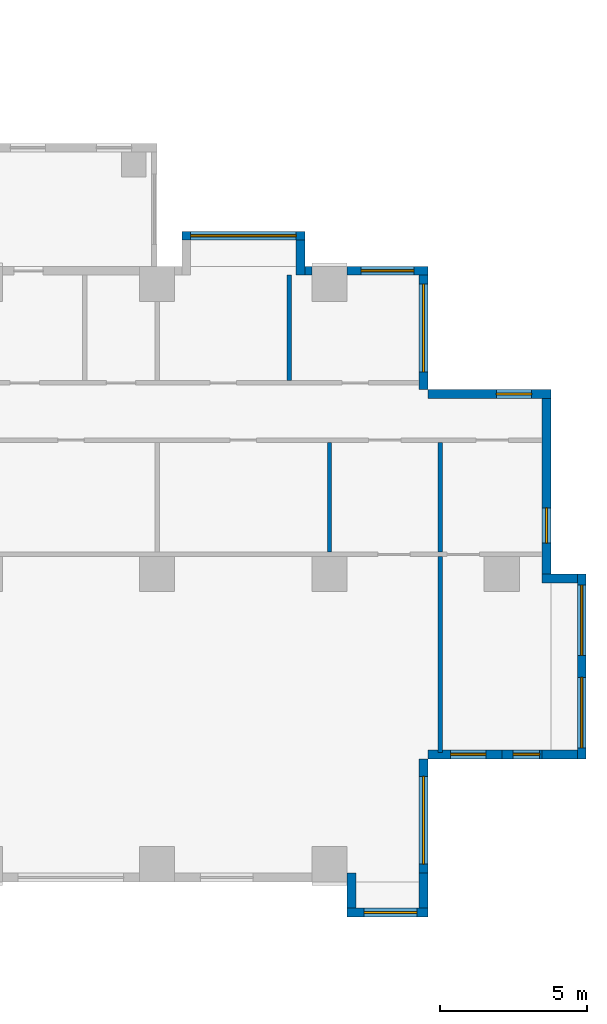
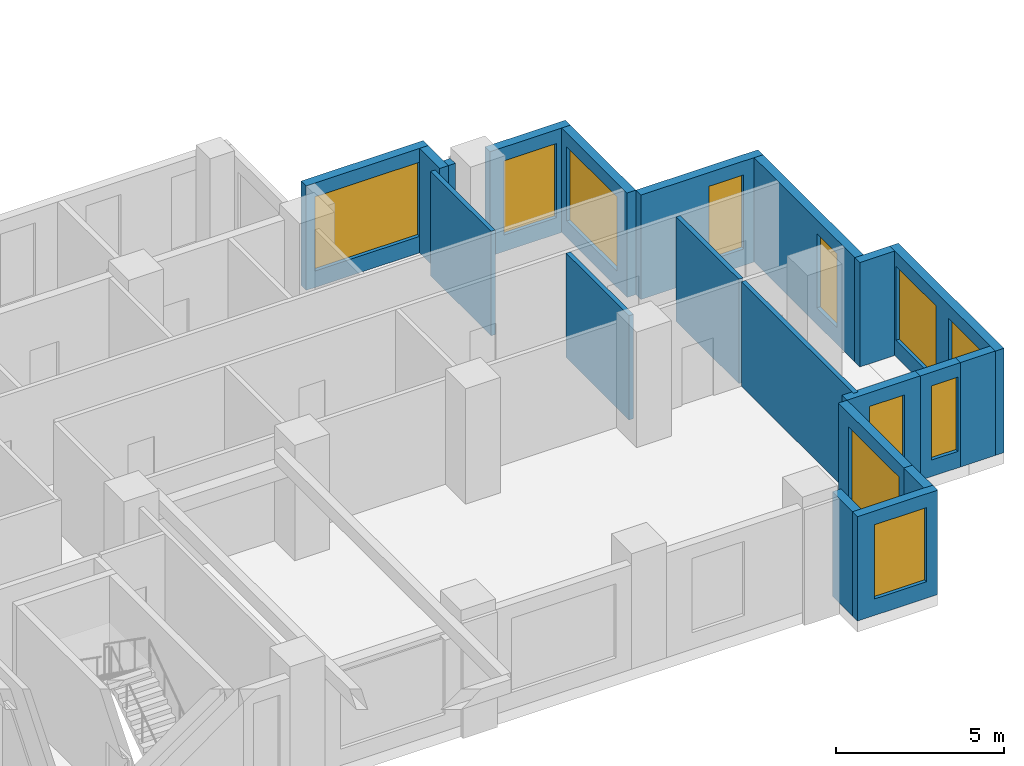
# One storey, part 9 of 14: 20 walls, 11 windows, 11 openings.
"""IFC4 building model written with IfcOpenShell, lengths in metres."""

from ifc_helpers import new_model, si_unit, direction, frame, frame_2d, origin, place, context, subcontext, project, spatial, rectangle, extrude, source, transform, mapped, material, layer, layer_set, type_object, element, fill, save


model = new_model("IFC4")

# Units and contexts
model_context = context("Model", 3, precision=1e-05, world=origin(), true_north=direction((0.0, 1.0)))
body_context = subcontext(model_context, "Body", "Model", "MODEL_VIEW")
ifc_project = project(units=[si_unit("LENGTHUNIT", "METRE"), si_unit("AREAUNIT", "SQUARE_METRE"), si_unit("VOLUMEUNIT", "CUBIC_METRE"), si_unit("PLANEANGLEUNIT", "RADIAN"), si_unit("MASSUNIT", "GRAM", prefix="KILO")], contexts=[model_context])

# Site, building, storey
site_placement = place(None, origin())
site = spatial("IfcSite", under=ifc_project, at=site_placement, CompositionType="ELEMENT")
building_placement = place(site_placement, origin())
building = spatial("IfcBuilding", under=site, at=building_placement, Name="Aurelian Terraces", CompositionType="ELEMENT")
storey_placement = place(building_placement, frame((0.0, 0.0, 53.1)))
storey = spatial("IfcBuildingStorey", under=building, at=storey_placement, Name="L10", CompositionType="ELEMENT", Elevation=53.1)

# Wall, opening, window
ifc_material_1 = material(Name="Terracotta rainscreen cladding", Category="masonry")
ifc_layer_1 = layer(ifc_material_1, 0.3)
ifc_layer_set_1 = layer_set([ifc_layer_1], Name="EW-300")
wall_type_1 = type_object("IfcWallType", Name="EW-300", PredefinedType="STANDARD", material=ifc_layer_set_1)
shared_shape_1 = source(origin(), body_context, "Body", "SweptSolid", [
    extrude(rectangle(XDim=4.2, YDim=0.3, at=frame_2d((2.1, 0.0))), origin(), (0.0, 0.0, 1.0), 3.8),
])
wall_1_placement = place(storey_placement, frame((67.05, 0.0, 0.0), z_axis=(0.0, 0.0, 1.0), x_axis=(0.0, 1.0, 0.0)))
wall_1 = element("IfcWall", 1, at=wall_1_placement, inside=storey, type_object=wall_type_1, Name="External wall L10 F06.14", PredefinedType="STANDARD", context=body_context, shape_type="MappedRepresentation", body=[
    mapped(shared_shape_1, transform((0.0, 0.0, 0.0), scale=1.0)),
])
shared_shape_2 = source(origin(), body_context, "Body", "SweptSolid", [
    extrude(rectangle(XDim=3.0, YDim=2.7, at=frame_2d((1.5, 1.35))), frame((0.0, 0.16, 0.0), z_axis=(0.0, -1.0, 0.0), x_axis=(1.0, 0.0, 0.0)), (0.0, 0.0, 1.0), 0.32),
])
opening_1_placement = place(wall_1_placement, frame((0.6, 0.0, 0.6)))
opening_1 = element("IfcOpeningElement", 2, at=opening_1_placement, cuts=wall_1, Name="Opening W3027", PredefinedType="OPENING", context=body_context, shape_type="MappedRepresentation", body=[
    mapped(shared_shape_2, transform((0.0, 0.0, 0.0), scale=1.0)),
])
ifc_material_2 = material(Name="Clear glazing", Category="glass")
window_type_1 = type_object("IfcWindowType", Name="W-3000x2700", PartitioningType="SINGLE_PANEL", PredefinedType="WINDOW", material=ifc_material_2)
shared_shape_3 = source(origin(), body_context, "Body", "SweptSolid", [
    extrude(rectangle(XDim=3.0, YDim=2.7, at=frame_2d((1.5, 1.35))), frame((0.0, 0.03, 0.0), z_axis=(0.0, -1.0, 0.0), x_axis=(1.0, 0.0, 0.0)), (0.0, 0.0, 1.0), 0.06),
])
window_1_placement = place(opening_1_placement, origin())
window_1 = element("IfcWindow", 3, at=window_1_placement, inside=storey, type_object=window_type_1, Name="Window L10 L10-F06-14-0", OverallHeight=2.7, OverallWidth=3.0, PartitioningType="SINGLE_PANEL", PredefinedType="WINDOW", context=body_context, shape_type="MappedRepresentation", body=[
    mapped(shared_shape_3, transform((0.0, 0.0, 0.0), scale=1.0)),
])
fill(opening_1, window_1)

wall_2_placement = place(storey_placement, frame((71.4, 16.65, 0.0), z_axis=(0.0, 0.0, 1.0), x_axis=(-1.0, 0.0, 0.0)))
wall_2 = element("IfcWall", 4, at=wall_2_placement, inside=storey, type_object=wall_type_1, Name="External wall L10 F09.19", PredefinedType="STANDARD", context=body_context, shape_type="MappedRepresentation", body=[
    mapped(shared_shape_1, transform((0.0, 0.0, 0.0), scale=1.0)),
])
shared_shape_4 = source(origin(), body_context, "Body", "SweptSolid", [
    extrude(rectangle(XDim=1.2, YDim=2.7, at=frame_2d((0.6, 1.35))), frame((0.0, 0.16, 0.0), z_axis=(0.0, -1.0, 0.0), x_axis=(1.0, 0.0, 0.0)), (0.0, 0.0, 1.0), 0.32),
])
opening_2_placement = place(wall_2_placement, frame((0.66, 0.0, 0.6)))
opening_2 = element("IfcOpeningElement", 5, at=opening_2_placement, cuts=wall_2, Name="Opening W1227", PredefinedType="OPENING", context=body_context, shape_type="MappedRepresentation", body=[
    mapped(shared_shape_4, transform((0.0, 0.0, 0.0), scale=1.0)),
])
window_type_2 = type_object("IfcWindowType", Name="W-1200x2700", PartitioningType="SINGLE_PANEL", PredefinedType="WINDOW", material=ifc_material_2)
shared_shape_5 = source(origin(), body_context, "Body", "SweptSolid", [
    extrude(rectangle(XDim=1.2, YDim=2.7, at=frame_2d((0.6, 1.35))), frame((0.0, 0.03, 0.0), z_axis=(0.0, -1.0, 0.0), x_axis=(1.0, 0.0, 0.0)), (0.0, 0.0, 1.0), 0.06),
])
window_2_placement = place(opening_2_placement, origin())
window_2 = element("IfcWindow", 6, at=window_2_placement, inside=storey, type_object=window_type_2, Name="Window L10 L10-F09-19-0", OverallHeight=2.7, OverallWidth=1.2, PartitioningType="SINGLE_PANEL", PredefinedType="WINDOW", context=body_context, shape_type="MappedRepresentation", body=[
    mapped(shared_shape_5, transform((0.0, 0.0, 0.0), scale=1.0)),
])
fill(opening_2, window_2)

wall_3_placement = place(storey_placement, frame((67.05, 16.8, 0.0), z_axis=(0.0, 0.0, 1.0), x_axis=(0.0, 1.0, 0.0)))
wall_3 = element("IfcWall", 7, at=wall_3_placement, inside=storey, type_object=wall_type_1, Name="External wall L10 F10.20", PredefinedType="STANDARD", context=body_context, shape_type="MappedRepresentation", body=[
    mapped(shared_shape_1, transform((0.0, 0.0, 0.0), scale=1.0)),
])
opening_3_placement = place(wall_3_placement, frame((0.6, 0.0, 0.6)))
opening_3 = element("IfcOpeningElement", 8, at=opening_3_placement, cuts=wall_3, Name="Opening W3027", PredefinedType="OPENING", context=body_context, shape_type="MappedRepresentation", body=[
    mapped(shared_shape_2, transform((0.0, 0.0, 0.0), scale=1.0)),
])
window_3_placement = place(opening_3_placement, origin())
window_3 = element("IfcWindow", 9, at=window_3_placement, inside=storey, type_object=window_type_1, Name="Window L10 L10-F10-20-0", OverallHeight=2.7, OverallWidth=3.0, PartitioningType="SINGLE_PANEL", PredefinedType="WINDOW", context=body_context, shape_type="MappedRepresentation", body=[
    mapped(shared_shape_3, transform((0.0, 0.0, 0.0), scale=1.0)),
])
fill(opening_3, window_3)

wall_4_placement = place(storey_placement, frame((63.0, 22.05, 0.0), z_axis=(0.0, 0.0, 1.0), x_axis=(-1.0, 0.0, 0.0)))
wall_4 = element("IfcWall", 10, at=wall_4_placement, inside=storey, type_object=wall_type_1, Name="Bay wall L10 F11.22", PredefinedType="STANDARD", context=body_context, shape_type="MappedRepresentation", body=[
    mapped(shared_shape_1, transform((0.0, 0.0, 0.0), scale=1.0)),
])
shared_shape_6 = source(origin(), body_context, "Body", "SweptSolid", [
    extrude(rectangle(XDim=3.6, YDim=2.7, at=frame_2d((1.8, 1.35))), frame((0.0, 0.16, 0.0), z_axis=(0.0, -1.0, 0.0), x_axis=(1.0, 0.0, 0.0)), (0.0, 0.0, 1.0), 0.32),
])
opening_4_placement = place(wall_4_placement, frame((0.3, 0.0, 0.6)))
opening_4 = element("IfcOpeningElement", 11, at=opening_4_placement, cuts=wall_4, Name="Opening W3627", PredefinedType="OPENING", context=body_context, shape_type="MappedRepresentation", body=[
    mapped(shared_shape_6, transform((0.0, 0.0, 0.0), scale=1.0)),
])
window_type_3 = type_object("IfcWindowType", Name="W-3600x2700", PartitioningType="SINGLE_PANEL", PredefinedType="WINDOW", material=ifc_material_2)
shared_shape_7 = source(origin(), body_context, "Body", "SweptSolid", [
    extrude(rectangle(XDim=3.6, YDim=2.7, at=frame_2d((1.8, 1.35))), frame((0.0, 0.03, 0.0), z_axis=(0.0, -1.0, 0.0), x_axis=(1.0, 0.0, 0.0)), (0.0, 0.0, 1.0), 0.06),
])
window_4_placement = place(opening_4_placement, origin())
window_4 = element("IfcWindow", 12, at=window_4_placement, inside=storey, type_object=window_type_3, Name="Window L10 L10-F11-22-0", OverallHeight=2.7, OverallWidth=3.6, PartitioningType="SINGLE_PANEL", PredefinedType="WINDOW", context=body_context, shape_type="MappedRepresentation", body=[
    mapped(shared_shape_7, transform((0.0, 0.0, 0.0), scale=1.0)),
])
fill(opening_4, window_4)

shared_shape_8 = source(origin(), body_context, "Body", "SweptSolid", [
    extrude(rectangle(XDim=2.76, YDim=0.3, at=frame_2d((1.38, 0.0))), origin(), (0.0, 0.0, 1.0), 3.8),
])
wall_5_placement = place(storey_placement, frame((64.44, -1.05, 0.0), z_axis=(0.0, 0.0, 1.0), x_axis=(1.0, 0.0, 0.0)))
wall_5 = element("IfcWall", 13, at=wall_5_placement, inside=storey, type_object=wall_type_1, Name="Bay wall L10 F05.13", PredefinedType="STANDARD", context=body_context, shape_type="MappedRepresentation", body=[
    mapped(shared_shape_8, transform((0.0, 0.0, 0.0), scale=1.0)),
])
shared_shape_9 = source(origin(), body_context, "Body", "SweptSolid", [
    extrude(rectangle(XDim=1.8, YDim=2.7, at=frame_2d((0.9, 1.35))), frame((0.0, 0.16, 0.0), z_axis=(0.0, -1.0, 0.0), x_axis=(1.0, 0.0, 0.0)), (0.0, 0.0, 1.0), 0.32),
])
opening_5_placement = place(wall_5_placement, frame((0.58, 0.0, 0.6)))
opening_5 = element("IfcOpeningElement", 14, at=opening_5_placement, cuts=wall_5, Name="Opening W1827", PredefinedType="OPENING", context=body_context, shape_type="MappedRepresentation", body=[
    mapped(shared_shape_9, transform((0.0, 0.0, 0.0), scale=1.0)),
])
window_type_4 = type_object("IfcWindowType", Name="W-1800x2700", PartitioningType="SINGLE_PANEL", PredefinedType="WINDOW", material=ifc_material_2)
shared_shape_10 = source(origin(), body_context, "Body", "SweptSolid", [
    extrude(rectangle(XDim=1.8, YDim=2.7, at=frame_2d((0.9, 1.35))), frame((0.0, 0.03, 0.0), z_axis=(0.0, -1.0, 0.0), x_axis=(1.0, 0.0, 0.0)), (0.0, 0.0, 1.0), 0.06),
])
window_5_placement = place(opening_5_placement, origin())
window_5 = element("IfcWindow", 15, at=window_5_placement, inside=storey, type_object=window_type_4, Name="Window L10 L10-F05-13-0", OverallHeight=2.7, OverallWidth=1.8, PartitioningType="SINGLE_PANEL", PredefinedType="WINDOW", context=body_context, shape_type="MappedRepresentation", body=[
    mapped(shared_shape_10, transform((0.0, 0.0, 0.0), scale=1.0)),
])
fill(opening_5, window_5)

wall_6_placement = place(storey_placement, frame((67.2, 20.85, 0.0), z_axis=(0.0, 0.0, 1.0), x_axis=(-1.0, 0.0, 0.0)))
wall_6 = element("IfcWall", 16, at=wall_6_placement, inside=storey, type_object=wall_type_1, Name="External wall L10 F11.21", PredefinedType="STANDARD", context=body_context, shape_type="MappedRepresentation", body=[
    mapped(shared_shape_8, transform((0.0, 0.0, 0.0), scale=1.0)),
])
opening_6_placement = place(wall_6_placement, frame((0.48, 0.0, 0.6)))
opening_6 = element("IfcOpeningElement", 17, at=opening_6_placement, cuts=wall_6, Name="Opening W1827", PredefinedType="OPENING", context=body_context, shape_type="MappedRepresentation", body=[
    mapped(shared_shape_9, transform((0.0, 0.0, 0.0), scale=1.0)),
])
window_6_placement = place(opening_6_placement, origin())
window_6 = element("IfcWindow", 18, at=window_6_placement, inside=storey, type_object=window_type_4, Name="Window L10 L10-F11-21-P0", OverallHeight=2.7, OverallWidth=1.8, PartitioningType="SINGLE_PANEL", PredefinedType="WINDOW", context=body_context, shape_type="MappedRepresentation", body=[
    mapped(shared_shape_10, transform((0.0, 0.0, 0.0), scale=1.0)),
])
fill(opening_6, window_6)

# Walls
shared_shape_11 = source(origin(), body_context, "Body", "SweptSolid", [
    extrude(rectangle(XDim=1.2, YDim=0.3, at=frame_2d((0.6, 0.0))), origin(), (0.0, 0.0, 1.0), 3.8),
])
for number, where, z_axis, x_axis, name in (
    (19, (64.59, 0.3, 0.0), (0.0, 0.0, 1.0), (0.0, -1.0, 0.0), "Bay return L10 F05.13.1"),
    (20, (67.05, 0.3, 0.0), (0.0, 0.0, 1.0), (0.0, -1.0, 0.0), "Bay return L10 F05.13.2"),
    (21, (71.1, 4.35, 0.0), (0.0, 0.0, 1.0), (1.0, 0.0, 0.0), "Bay return L10 F08.17.1"),
    (22, (71.1, 10.35, 0.0), (0.0, 0.0, 1.0), (1.0, 0.0, 0.0), "Bay return L10 F08.17.2"),
    (23, (62.85, 20.7, 0.0), (0.0, 0.0, 1.0), (0.0, 1.0, 0.0), "Bay return L10 F11.22.1"),
):
    element("IfcWall", number, at=place(storey_placement, frame(where, z_axis=z_axis, x_axis=x_axis)), inside=storey, type_object=wall_type_1, Name=name, PredefinedType="STANDARD", context=body_context, shape_type="MappedRepresentation", body=[
        mapped(shared_shape_11, transform((0.0, 0.0, 0.0), scale=1.0)),
    ])
shared_shape_12 = source(origin(), body_context, "Body", "SweptSolid", [
    extrude(rectangle(XDim=0.24, YDim=0.3, at=frame_2d((0.12, 0.0))), origin(), (0.0, 0.0, 1.0), 3.8),
])
wall_7_placement = place(storey_placement, frame((63.24, 20.85, 0.0), z_axis=(0.0, 0.0, 1.0), x_axis=(-1.0, 0.0, 0.0)))
element("IfcWall", 24, at=wall_7_placement, inside=storey, type_object=wall_type_1, Name="External wall L10 F11.21", PredefinedType="STANDARD", context=body_context, shape_type="MappedRepresentation", body=[
    mapped(shared_shape_12, transform((0.0, 0.0, 0.0), scale=1.0)),
])

# Wall, opening, window
shared_shape_13 = source(origin(), body_context, "Body", "SweptSolid", [
    extrude(rectangle(XDim=2.52, YDim=0.3, at=frame_2d((1.26, 0.0))), origin(), (0.0, 0.0, 1.0), 3.8),
])
wall_8_placement = place(storey_placement, frame((67.2, 4.35, 0.0), z_axis=(0.0, 0.0, 1.0), x_axis=(1.0, 0.0, 0.0)))
wall_8 = element("IfcWall", 25, at=wall_8_placement, inside=storey, type_object=wall_type_1, Name="External wall L10 F07.15", PredefinedType="STANDARD", context=body_context, shape_type="MappedRepresentation", body=[
    mapped(shared_shape_13, transform((0.0, 0.0, 0.0), scale=1.0)),
])
opening_7_placement = place(wall_8_placement, frame((0.7775, 0.0, 0.6)))
opening_7 = element("IfcOpeningElement", 26, at=opening_7_placement, cuts=wall_8, Name="Opening W1227", PredefinedType="OPENING", context=body_context, shape_type="MappedRepresentation", body=[
    mapped(shared_shape_4, transform((0.0, 0.0, 0.0), scale=1.0)),
])
window_7_placement = place(opening_7_placement, origin())
window_7 = element("IfcWindow", 27, at=window_7_placement, inside=storey, type_object=window_type_2, Name="Window L10 L10-F07-15-P0", OverallHeight=2.7, OverallWidth=1.2, PartitioningType="SINGLE_PANEL", PredefinedType="WINDOW", context=body_context, shape_type="MappedRepresentation", body=[
    mapped(shared_shape_5, transform((0.0, 0.0, 0.0), scale=1.0)),
])
fill(opening_7, window_7)

shared_shape_14 = source(origin(), body_context, "Body", "SweptSolid", [
    extrude(rectangle(XDim=1.68, YDim=0.3, at=frame_2d((0.84, 0.0))), origin(), (0.0, 0.0, 1.0), 3.8),
])
wall_9_placement = place(storey_placement, frame((69.72, 4.35, 0.0), z_axis=(0.0, 0.0, 1.0), x_axis=(1.0, 0.0, 0.0)))
wall_9 = element("IfcWall", 28, at=wall_9_placement, inside=storey, type_object=wall_type_1, Name="External wall L10 F07.16", PredefinedType="STANDARD", context=body_context, shape_type="MappedRepresentation", body=[
    mapped(shared_shape_14, transform((0.0, 0.0, 0.0), scale=1.0)),
])
shared_shape_15 = source(origin(), body_context, "Body", "SweptSolid", [
    extrude(rectangle(XDim=0.9, YDim=2.7, at=frame_2d((0.45, 1.35))), frame((0.0, 0.16, 0.0), z_axis=(0.0, -1.0, 0.0), x_axis=(1.0, 0.0, 0.0)), (0.0, 0.0, 1.0), 0.32),
])
opening_8_placement = place(wall_9_placement, frame((0.39, 0.0, 0.6)))
opening_8 = element("IfcOpeningElement", 29, at=opening_8_placement, cuts=wall_9, Name="Opening W0927", PredefinedType="OPENING", context=body_context, shape_type="MappedRepresentation", body=[
    mapped(shared_shape_15, transform((0.0, 0.0, 0.0), scale=1.0)),
])
window_type_5 = type_object("IfcWindowType", Name="W-900x2700", PartitioningType="SINGLE_PANEL", PredefinedType="WINDOW", material=ifc_material_2)
shared_shape_16 = source(origin(), body_context, "Body", "SweptSolid", [
    extrude(rectangle(XDim=0.9, YDim=2.7, at=frame_2d((0.45, 1.35))), frame((0.0, 0.03, 0.0), z_axis=(0.0, -1.0, 0.0), x_axis=(1.0, 0.0, 0.0)), (0.0, 0.0, 1.0), 0.06),
])
window_8_placement = place(opening_8_placement, origin())
window_8 = element("IfcWindow", 30, at=window_8_placement, inside=storey, type_object=window_type_5, Name="Window L10 L10-F07-16-P0", OverallHeight=2.7, OverallWidth=0.9, PartitioningType="SINGLE_PANEL", PredefinedType="WINDOW", context=body_context, shape_type="MappedRepresentation", body=[
    mapped(shared_shape_16, transform((0.0, 0.0, 0.0), scale=1.0)),
])
fill(opening_8, window_8)

# Wall, openings, windows
shared_shape_17 = source(origin(), body_context, "Body", "SweptSolid", [
    extrude(rectangle(XDim=6.3, YDim=0.3, at=frame_2d((3.15, 0.0))), origin(), (0.0, 0.0, 1.0), 3.8),
])
wall_10_placement = place(storey_placement, frame((72.45, 4.2, 0.0), z_axis=(0.0, 0.0, 1.0), x_axis=(0.0, 1.0, 0.0)))
wall_10 = element("IfcWall", 31, at=wall_10_placement, inside=storey, type_object=wall_type_1, Name="Bay wall L10 F08.17", PredefinedType="STANDARD", context=body_context, shape_type="MappedRepresentation", body=[
    mapped(shared_shape_17, transform((0.0, 0.0, 0.0), scale=1.0)),
])
shared_shape_18 = source(origin(), body_context, "Body", "SweptSolid", [
    extrude(rectangle(XDim=2.4, YDim=2.7, at=frame_2d((1.2, 1.35))), frame((0.0, 0.16, 0.0), z_axis=(0.0, -1.0, 0.0), x_axis=(1.0, 0.0, 0.0)), (0.0, 0.0, 1.0), 0.32),
])
opening_9_placement = place(wall_10_placement, frame((0.375, 0.0, 0.6)))
opening_9 = element("IfcOpeningElement", 32, at=opening_9_placement, cuts=wall_10, Name="Opening W2427", PredefinedType="OPENING", context=body_context, shape_type="MappedRepresentation", body=[
    mapped(shared_shape_18, transform((0.0, 0.0, 0.0), scale=1.0)),
])
opening_10_placement = place(wall_10_placement, frame((3.525, 0.0, 0.6)))
opening_10 = element("IfcOpeningElement", 33, at=opening_10_placement, cuts=wall_10, Name="Opening W2427", PredefinedType="OPENING", context=body_context, shape_type="MappedRepresentation", body=[
    mapped(shared_shape_18, transform((0.0, 0.0, 0.0), scale=1.0)),
])
window_type_6 = type_object("IfcWindowType", Name="W-2400x2700", PartitioningType="SINGLE_PANEL", PredefinedType="WINDOW", material=ifc_material_2)
shared_shape_19 = source(origin(), body_context, "Body", "SweptSolid", [
    extrude(rectangle(XDim=2.4, YDim=2.7, at=frame_2d((1.2, 1.35))), frame((0.0, 0.03, 0.0), z_axis=(0.0, -1.0, 0.0), x_axis=(1.0, 0.0, 0.0)), (0.0, 0.0, 1.0), 0.06),
])
window_9_placement = place(opening_9_placement, origin())
window_9 = element("IfcWindow", 34, at=window_9_placement, inside=storey, type_object=window_type_6, Name="Window L10 L10-F08-17-0", OverallHeight=2.7, OverallWidth=2.4, PartitioningType="SINGLE_PANEL", PredefinedType="WINDOW", context=body_context, shape_type="MappedRepresentation", body=[
    mapped(shared_shape_19, transform((0.0, 0.0, 0.0), scale=1.0)),
])
fill(opening_9, window_9)
window_10_placement = place(opening_10_placement, origin())
window_10 = element("IfcWindow", 35, at=window_10_placement, inside=storey, type_object=window_type_6, Name="Window L10 L10-F08-17-1", OverallHeight=2.7, OverallWidth=2.4, PartitioningType="SINGLE_PANEL", PredefinedType="WINDOW", context=body_context, shape_type="MappedRepresentation", body=[
    mapped(shared_shape_19, transform((0.0, 0.0, 0.0), scale=1.0)),
])
fill(opening_10, window_10)

# Wall, opening, window
wall_11_placement = place(storey_placement, frame((71.25, 10.5, 0.0), z_axis=(0.0, 0.0, 1.0), x_axis=(0.0, 1.0, 0.0)))
wall_11 = element("IfcWall", 36, at=wall_11_placement, inside=storey, type_object=wall_type_1, Name="External wall L10 F08.18", PredefinedType="STANDARD", context=body_context, shape_type="MappedRepresentation", body=[
    mapped(shared_shape_17, transform((0.0, 0.0, 0.0), scale=1.0)),
])
opening_11_placement = place(wall_11_placement, frame((1.0625, 0.0, 0.6)))
opening_11 = element("IfcOpeningElement", 37, at=opening_11_placement, cuts=wall_11, Name="Opening W1227", PredefinedType="OPENING", context=body_context, shape_type="MappedRepresentation", body=[
    mapped(shared_shape_4, transform((0.0, 0.0, 0.0), scale=1.0)),
])
window_11_placement = place(opening_11_placement, origin())
window_11 = element("IfcWindow", 38, at=window_11_placement, inside=storey, type_object=window_type_2, Name="Window L10 L10-F08-18-0", OverallHeight=2.7, OverallWidth=1.2, PartitioningType="SINGLE_PANEL", PredefinedType="WINDOW", context=body_context, shape_type="MappedRepresentation", body=[
    mapped(shared_shape_5, transform((0.0, 0.0, 0.0), scale=1.0)),
])
fill(opening_11, window_11)

# Walls
ifc_material_3 = material(Name="Gypsum board on steel studs", Category="steel")
ifc_layer_2 = layer(ifc_material_3, 0.15)
ifc_layer_set_2 = layer_set([ifc_layer_2], Name="Partition 150")
wall_type_2 = type_object("IfcWallType", Name="Partition 150", PredefinedType="PARTITIONING", material=ifc_layer_set_2)
shared_shape_20 = source(origin(), body_context, "Body", "SweptSolid", [
    extrude(rectangle(XDim=3.75, YDim=0.15, at=frame_2d((1.875, 0.0))), origin(), (0.0, 0.0, 1.0), 3.8),
])
for number, where, z_axis, x_axis, name in (
    (39, (63.84, 11.25, 0.0), (0.0, 0.0, 1.0), (0.0, 1.0, 0.0), "Partition"),
    (40, (67.62, 11.25, 0.0), (0.0, 0.0, 1.0), (0.0, 1.0, 0.0), "Partition"),
):
    element("IfcWall", number, at=place(storey_placement, frame(where, z_axis=z_axis, x_axis=x_axis)), inside=storey, type_object=wall_type_2, Name=name, PredefinedType="PARTITIONING", context=body_context, shape_type="MappedRepresentation", body=[
        mapped(shared_shape_20, transform((0.0, 0.0, 0.0), scale=1.0)),
    ])
shared_shape_21 = source(origin(), body_context, "Body", "SweptSolid", [
    extrude(rectangle(XDim=3.6, YDim=0.15, at=frame_2d((1.8, 0.0))), origin(), (0.0, 0.0, 1.0), 3.8),
])
wall_12_placement = place(storey_placement, frame((62.4675, 20.7, 0.0), z_axis=(0.0, 0.0, 1.0), x_axis=(0.0, -1.0, 0.0)))
element("IfcWall", 41, at=wall_12_placement, inside=storey, type_object=wall_type_2, Name="Partition", PredefinedType="PARTITIONING", context=body_context, shape_type="MappedRepresentation", body=[
    mapped(shared_shape_21, transform((0.0, 0.0, 0.0), scale=1.0)),
])
shared_shape_22 = source(origin(), body_context, "Body", "SweptSolid", [
    extrude(rectangle(XDim=6.695, YDim=0.15, at=frame_2d((3.3475, 0.0))), origin(), (0.0, 0.0, 1.0), 3.8),
])
wall_13_placement = place(storey_placement, frame((67.62, 4.405, 0.0), z_axis=(0.0, 0.0, 1.0), x_axis=(0.0, 1.0, 0.0)))
element("IfcWall", 42, at=wall_13_placement, inside=storey, type_object=wall_type_2, Name="Partition", PredefinedType="PARTITIONING", context=body_context, shape_type="MappedRepresentation", body=[
    mapped(shared_shape_22, transform((0.0, 0.0, 0.0), scale=1.0)),
])

save(model, "model.ifc")
